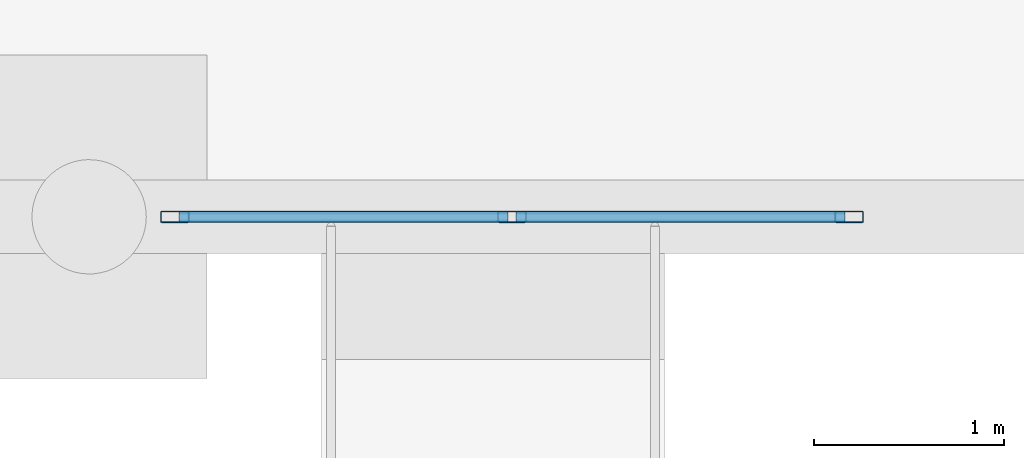
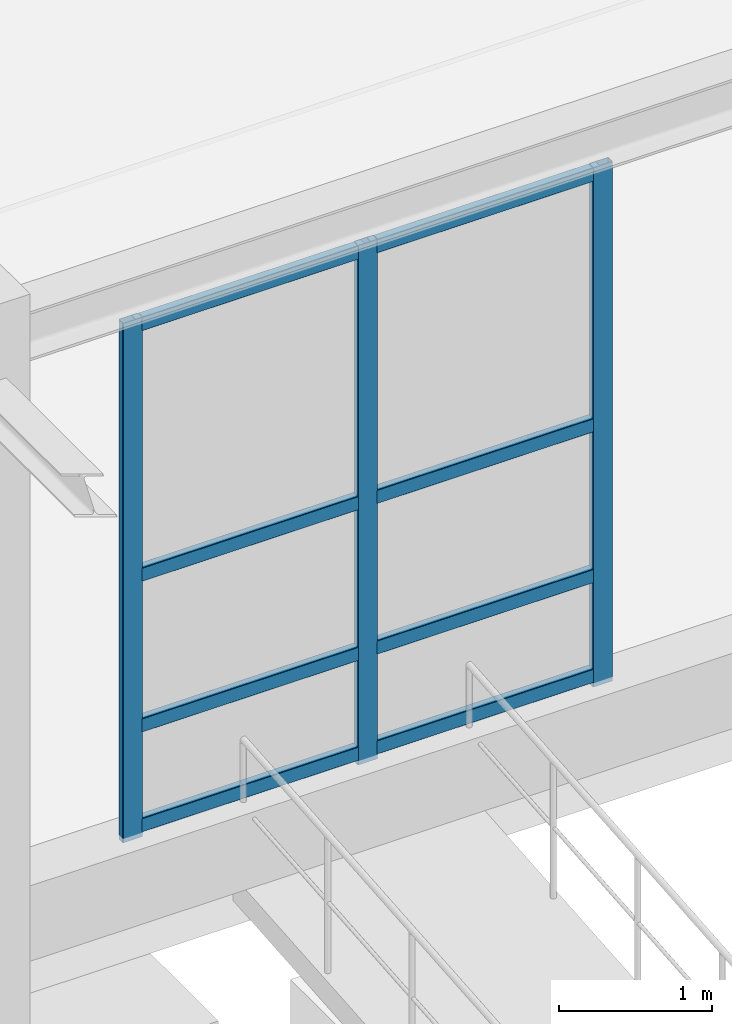
# One storey, part 13 of 53: 11 members, 1 element without a shape of its own.
"""IFC4 building model written with IfcOpenShell, lengths in metres."""

from ifc_helpers import new_model, si_unit, derived_unit, direction, frame, origin, origin_2d, place, context, subcontext, project, spatial, hollow_rectangle, extrude, material, layer, layer_set, material_profile, profile_set, type_object, element, aggregate, save


model = new_model("IFC4")

# Units and contexts
model_context = context("Model", 3, precision=1e-05, world=origin(), true_north=direction((0.0, 1.0)))
body_context = subcontext(model_context, "Body", "Model", "MODEL_VIEW")
ifc_project = project(units=[si_unit("LENGTHUNIT", "METRE"), si_unit("AREAUNIT", "SQUARE_METRE"), si_unit("VOLUMEUNIT", "CUBIC_METRE"), si_unit("PLANEANGLEUNIT", "RADIAN"), si_unit("MASSUNIT", "GRAM", prefix="KILO"), derived_unit("THERMALTRANSMITTANCEUNIT", [(si_unit("POWERUNIT", "WATT"), 1), (si_unit("LENGTHUNIT", "METRE"), -2), (si_unit("THERMODYNAMICTEMPERATUREUNIT", "KELVIN"), -1)])], contexts=[model_context])

# Site, building, storey
site_placement = place(None, origin())
site = spatial("IfcSite", under=ifc_project, at=site_placement, CompositionType="ELEMENT")
building_placement = place(site_placement, origin())
building = spatial("IfcBuilding", under=site, at=building_placement, Name="Almenara Railside Exhibition Hall", CompositionType="ELEMENT")
storey_placement = place(building_placement, origin())
storey = spatial("IfcBuildingStorey", under=building, at=storey_placement, Name="L00", CompositionType="ELEMENT", Elevation=0.0)

# Curtain wall, members
ifc_material_1 = material(Name="Bronze-anodised aluminium and low-E double glazing", Category="aluminium")
ifc_layer = layer(ifc_material_1, 0.179931640625, Name="Bronze-anodised aluminium and low-E double glazing")
ifc_layer_set = layer_set([ifc_layer], Name="Bronze-anodised aluminium and low-E double glazing")
curtain_wall_type = type_object("IfcCurtainWallType", Name="Concourse South Portale Curtain Wall 3600x4100", PredefinedType="NOTDEFINED", material=ifc_layer_set)
curtain_wall_placement = place(storey_placement, origin())
curtain_wall = element("IfcCurtainWall", 1, at=curtain_wall_placement, inside=storey, type_object=curtain_wall_type, Name="Curtain wall CW-PC1-125", PredefinedType="NOTDEFINED")
ifc_material_2 = material(Name="Bronze-anodised aluminium", Category="aluminium")
ifc_material_profile_1 = material_profile(ifc_material_2, hollow_rectangle(XDim=0.06005859375, YDim=0.14990234375, WallThickness=0.00341796875, InnerFilletRadius=0.00341796875, OuterFilletRadius=0.007080078125, at=origin_2d()), Name="ALU-MUL 60x150x3.5")
ifc_profile_set_1 = profile_set([ifc_material_profile_1], Name="Bronze-anodised aluminium")
member_type_1 = type_object("IfcMemberType", Name="Curtain Wall Mullion 60x150x3.5", PredefinedType="MULLION", material=ifc_profile_set_1)
member_1_placement = place(storey_placement, frame((85.22998046875, 36.0, 0.56494140625), z_axis=(0.0, 0.0, 1.0), x_axis=(0.0, 1.0, 0.0)))
member_1 = element("IfcMember", 2, at=member_1_placement, type_object=member_type_1, Name="CW-PC1-125 mullion 1", PredefinedType="MULLION", context=body_context, shape_type="SweptSolid", body=[
    extrude(hollow_rectangle(XDim=0.06005859375, YDim=0.14990234375, WallThickness=0.00341796875, InnerFilletRadius=0.00341796875, OuterFilletRadius=0.007080078125, at=origin_2d()), origin(), (0.0, 0.0, 1.0), 4.135009765625),
])
member_2_placement = place(storey_placement, frame((87.0, 36.0, 0.56494140625), z_axis=(0.0, 0.0, 1.0), x_axis=(0.0, 1.0, 0.0)))
member_2 = element("IfcMember", 3, at=member_2_placement, type_object=member_type_1, Name="CW-PC1-125 mullion 2", PredefinedType="MULLION", context=body_context, shape_type="SweptSolid", body=[
    extrude(hollow_rectangle(XDim=0.06005859375, YDim=0.14990234375, WallThickness=0.00341796875, InnerFilletRadius=0.00341796875, OuterFilletRadius=0.007080078125, at=origin_2d()), origin(), (0.0, 0.0, 1.0), 4.135009765625),
])
member_3_placement = place(storey_placement, frame((88.77001953125, 36.0, 0.56494140625), z_axis=(0.0, 0.0, 1.0), x_axis=(0.0, 1.0, 0.0)))
member_3 = element("IfcMember", 4, at=member_3_placement, type_object=member_type_1, Name="CW-PC1-125 mullion 3", PredefinedType="MULLION", context=body_context, shape_type="SweptSolid", body=[
    extrude(hollow_rectangle(XDim=0.06005859375, YDim=0.14990234375, WallThickness=0.00341796875, InnerFilletRadius=0.00341796875, OuterFilletRadius=0.007080078125, at=origin_2d()), origin(), (0.0, 0.0, 1.0), 4.135009765625),
])
ifc_material_profile_2 = material_profile(ifc_material_2, hollow_rectangle(XDim=0.06005859375, YDim=0.110107421875, WallThickness=0.0029296875, InnerFilletRadius=0.0029296875, OuterFilletRadius=0.006103515625, at=origin_2d()), Name="ALU-TRN 60x110x3")
ifc_profile_set_2 = profile_set([ifc_material_profile_2], Name="Bronze-anodised aluminium")
member_type_2 = type_object("IfcMemberType", Name="Curtain Wall Transom 60x110x3", PredefinedType="USERDEFINED", material=ifc_profile_set_2)
member_4_placement = place(storey_placement, frame((85.251953125, 36.0, 0.655029296875), z_axis=(1.0, 0.0, 0.0), x_axis=(0.0, 1.0, 0.0)))
member_4 = element("IfcMember", 5, at=member_4_placement, type_object=member_type_2, Name="CW-PC1-125 transom 1.1", ObjectType="TRANSOM", PredefinedType="USERDEFINED", context=body_context, shape_type="SweptSolid", body=[
    extrude(hollow_rectangle(XDim=0.06005859375, YDim=0.110107421875, WallThickness=0.0029296875, InnerFilletRadius=0.0029296875, OuterFilletRadius=0.006103515625, at=origin_2d()), origin(), (0.0, 0.0, 1.0), 1.72607421875),
])
member_5_placement = place(storey_placement, frame((85.251953125, 36.0, 1.449951171875), z_axis=(1.0, 0.0, 0.0), x_axis=(0.0, 1.0, 0.0)))
member_5 = element("IfcMember", 6, at=member_5_placement, type_object=member_type_2, Name="CW-PC1-125 transom 1.2", ObjectType="TRANSOM", PredefinedType="USERDEFINED", context=body_context, shape_type="SweptSolid", body=[
    extrude(hollow_rectangle(XDim=0.06005859375, YDim=0.110107421875, WallThickness=0.0029296875, InnerFilletRadius=0.0029296875, OuterFilletRadius=0.006103515625, at=origin_2d()), origin(), (0.0, 0.0, 1.0), 1.72607421875),
])
member_6_placement = place(storey_placement, frame((85.251953125, 36.0, 2.64990234375), z_axis=(1.0, 0.0, 0.0), x_axis=(0.0, 1.0, 0.0)))
member_6 = element("IfcMember", 7, at=member_6_placement, type_object=member_type_2, Name="CW-PC1-125 transom 1.3", ObjectType="TRANSOM", PredefinedType="USERDEFINED", context=body_context, shape_type="SweptSolid", body=[
    extrude(hollow_rectangle(XDim=0.06005859375, YDim=0.110107421875, WallThickness=0.0029296875, InnerFilletRadius=0.0029296875, OuterFilletRadius=0.006103515625, at=origin_2d()), origin(), (0.0, 0.0, 1.0), 1.72607421875),
])
member_7_placement = place(storey_placement, frame((85.251953125, 36.0, 4.64501953125), z_axis=(1.0, 0.0, 0.0), x_axis=(0.0, 1.0, 0.0)))
member_7 = element("IfcMember", 8, at=member_7_placement, type_object=member_type_2, Name="CW-PC1-125 transom 1.4", ObjectType="TRANSOM", PredefinedType="USERDEFINED", context=body_context, shape_type="SweptSolid", body=[
    extrude(hollow_rectangle(XDim=0.06005859375, YDim=0.110107421875, WallThickness=0.0029296875, InnerFilletRadius=0.0029296875, OuterFilletRadius=0.006103515625, at=origin_2d()), origin(), (0.0, 0.0, 1.0), 1.72607421875),
])
member_8_placement = place(storey_placement, frame((87.02197265625, 36.0, 0.655029296875), z_axis=(1.0, 0.0, 0.0), x_axis=(0.0, 1.0, 0.0)))
member_8 = element("IfcMember", 9, at=member_8_placement, type_object=member_type_2, Name="CW-PC1-125 transom 2.1", ObjectType="TRANSOM", PredefinedType="USERDEFINED", context=body_context, shape_type="SweptSolid", body=[
    extrude(hollow_rectangle(XDim=0.06005859375, YDim=0.110107421875, WallThickness=0.0029296875, InnerFilletRadius=0.0029296875, OuterFilletRadius=0.006103515625, at=origin_2d()), origin(), (0.0, 0.0, 1.0), 1.72607421875),
])
member_9_placement = place(storey_placement, frame((87.02197265625, 36.0, 1.449951171875), z_axis=(1.0, 0.0, 0.0), x_axis=(0.0, 1.0, 0.0)))
member_9 = element("IfcMember", 10, at=member_9_placement, type_object=member_type_2, Name="CW-PC1-125 transom 2.2", ObjectType="TRANSOM", PredefinedType="USERDEFINED", context=body_context, shape_type="SweptSolid", body=[
    extrude(hollow_rectangle(XDim=0.06005859375, YDim=0.110107421875, WallThickness=0.0029296875, InnerFilletRadius=0.0029296875, OuterFilletRadius=0.006103515625, at=origin_2d()), origin(), (0.0, 0.0, 1.0), 1.72607421875),
])
member_10_placement = place(storey_placement, frame((87.02197265625, 36.0, 2.64990234375), z_axis=(1.0, 0.0, 0.0), x_axis=(0.0, 1.0, 0.0)))
member_10 = element("IfcMember", 11, at=member_10_placement, type_object=member_type_2, Name="CW-PC1-125 transom 2.3", ObjectType="TRANSOM", PredefinedType="USERDEFINED", context=body_context, shape_type="SweptSolid", body=[
    extrude(hollow_rectangle(XDim=0.06005859375, YDim=0.110107421875, WallThickness=0.0029296875, InnerFilletRadius=0.0029296875, OuterFilletRadius=0.006103515625, at=origin_2d()), origin(), (0.0, 0.0, 1.0), 1.72607421875),
])
member_11_placement = place(storey_placement, frame((87.02197265625, 36.0, 4.64501953125), z_axis=(1.0, 0.0, 0.0), x_axis=(0.0, 1.0, 0.0)))
member_11 = element("IfcMember", 12, at=member_11_placement, type_object=member_type_2, Name="CW-PC1-125 transom 2.4", ObjectType="TRANSOM", PredefinedType="USERDEFINED", context=body_context, shape_type="SweptSolid", body=[
    extrude(hollow_rectangle(XDim=0.06005859375, YDim=0.110107421875, WallThickness=0.0029296875, InnerFilletRadius=0.0029296875, OuterFilletRadius=0.006103515625, at=origin_2d()), origin(), (0.0, 0.0, 1.0), 1.72607421875),
])
aggregate(curtain_wall, [member_1, member_2, member_3, member_4, member_5, member_6, member_7, member_8, member_9, member_10, member_11])

save(model, "model.ifc")
